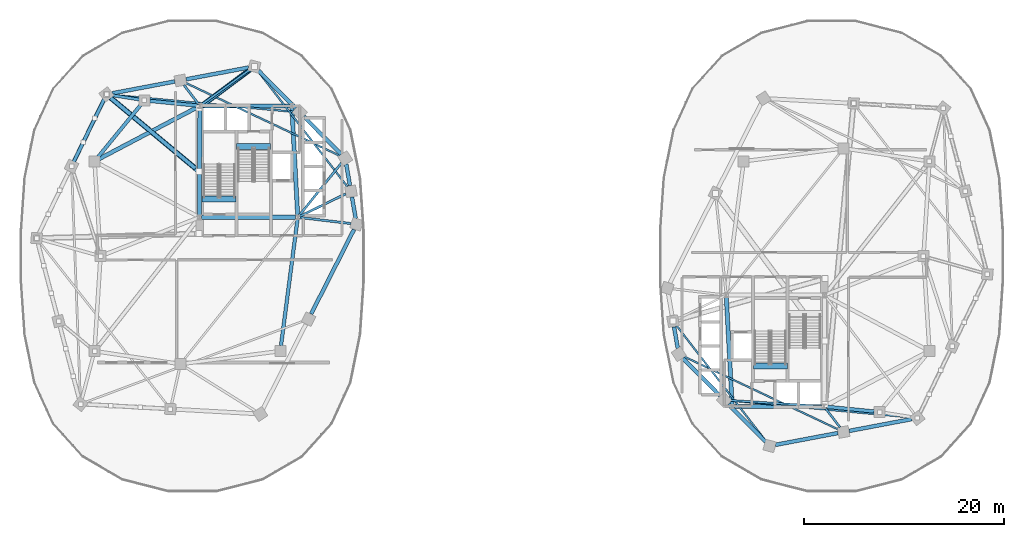
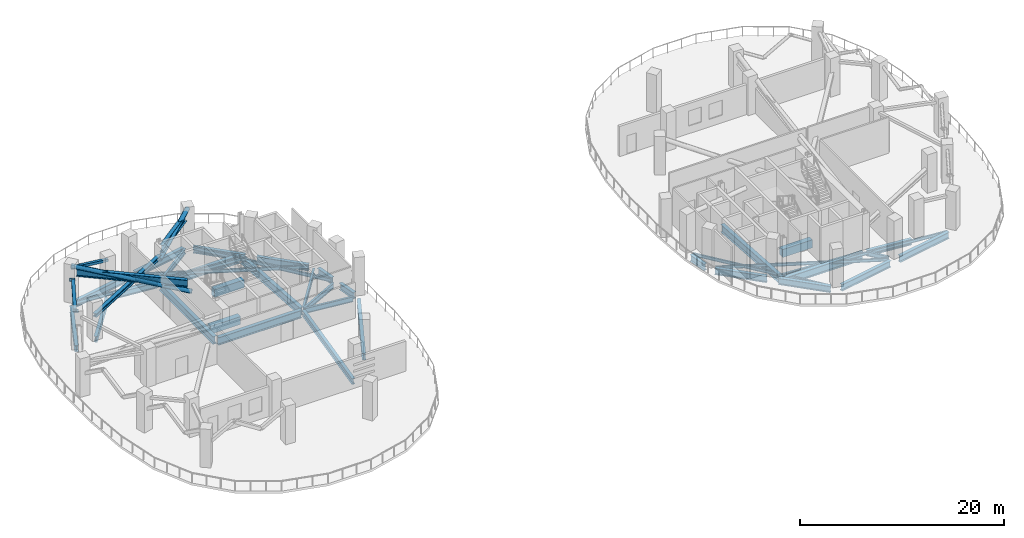
# One storey, part 2 of 13: 41 beams, 7 members.
"""IFC4 building model written with IfcOpenShell, lengths in metres."""

from ifc_helpers import new_model, si_unit, direction, frame, origin, origin_2d, place, context, subcontext, project, spatial, rectangle, hollow_rectangle, hollow_circle, i_section, extrude, material, material_profile, profile_set, type_object, element, save


model = new_model("IFC4")

# Units and contexts
model_context = context("Model", 3, precision=1e-05, world=origin(), true_north=direction((0.0, 1.0)))
body_context = subcontext(model_context, "Body", "Model", "MODEL_VIEW")
ifc_project = project(units=[si_unit("LENGTHUNIT", "METRE"), si_unit("AREAUNIT", "SQUARE_METRE"), si_unit("VOLUMEUNIT", "CUBIC_METRE"), si_unit("PLANEANGLEUNIT", "RADIAN"), si_unit("MASSUNIT", "GRAM", prefix="KILO"), si_unit("THERMODYNAMICTEMPERATUREUNIT", "KELVIN"), si_unit("POWERUNIT", "WATT")], contexts=[model_context])

# Site, building, storey
site_placement = place(None, origin())
site = spatial("IfcSite", under=ifc_project, at=site_placement, CompositionType="ELEMENT")
building_placement = place(site_placement, origin())
building = spatial("IfcBuilding", under=site, at=building_placement, Name="Cundina Bronze Exchange", CompositionType="ELEMENT")
storey_placement = place(building_placement, frame((0.0, 0.0, 77.199951171875)))
storey = spatial("IfcBuildingStorey", under=building, at=storey_placement, Name="L19", CompositionType="ELEMENT", Elevation=77.199951171875)

# Beams
ifc_material_1 = material(Name="Concrete C60/75", Category="concrete")
ifc_material_profile_1 = material_profile(ifc_material_1, rectangle(XDim=0.60009765625, YDim=0.949951171875, at=origin_2d()), Name="RC600X950", Category="concrete")
ifc_profile_set_1 = profile_set([ifc_material_profile_1], Name="Concrete C60/75")
beam_type_1 = type_object("IfcBeamType", Name="BM-COUP-RC950", PredefinedType="LINTEL", material=ifc_profile_set_1)
beam_1_placement = place(storey_placement, frame((-31.02001953125, 5.719970703125, -0.474853515625), z_axis=(1.0, 0.0, 0.0), x_axis=(0.0, 1.0, 0.0)))
element("IfcBeam", 1, at=beam_1_placement, inside=storey, type_object=beam_type_1, Name="L19 Stair W1 Landing Header Beam", PredefinedType="LINTEL", context=body_context, shape_type="SweptSolid", body=[
    extrude(rectangle(XDim=0.60009765625, YDim=0.949951171875, at=origin_2d()), origin(), (0.0, 0.0, 1.0), 3.39990234375),
])
for number, where, z_axis, x_axis, name in (
    (2, (-27.56005859375, 10.97998046875, -0.474853515625), (1.0, 0.0, 0.0), (0.0, 1.0, 0.0), "L19 Stair W2 Landing Header Beam"),
    (3, (24.159912109375, -10.97998046875, -0.474853515625), (1.0, 0.0, 0.0), (0.0, 1.0, 0.0), "L19 Stair E2 Landing Header Beam"),
):
    element("IfcBeam", number, at=place(storey_placement, frame(where, z_axis=z_axis, x_axis=x_axis)), inside=storey, type_object=beam_type_1, Name=name, PredefinedType="LINTEL", context=body_context, shape_type="SweptSolid", body=[
        extrude(rectangle(XDim=0.60009765625, YDim=0.949951171875, at=origin_2d()), origin(), (0.0, 0.0, 1.0), 3.400146484375),
    ])
ifc_material_2 = material(Name="Steel ASTM A992 Grade 50", Category="steel")
ifc_material_profile_2 = material_profile(ifc_material_2, i_section(OverallWidth=0.2099609375, OverallDepth=0.532958984375, WebThickness=0.01025390625, FlangeThickness=0.015625, FilletRadius=0.013916015625, at=origin_2d()), Name="W21X62", Category="steel")
ifc_profile_set_2 = profile_set([ifc_material_profile_2], Name="Steel ASTM A992 Grade 50")
beam_type_2 = type_object("IfcBeamType", Name="BM-FLR-W21B", PredefinedType="BEAM", material=ifc_profile_set_2)
beam_2_placement = place(storey_placement, frame((31.04638671875, -15.036865234375, -0.54638671875), z_axis=(-0.99789233798, 0.064891307594, 0.0), x_axis=(-0.064891307594, -0.99789233798, 0.0)))
element("IfcBeam", 4, at=beam_2_placement, inside=storey, type_object=beam_type_2, Name="L19 Leg E Chordal Floor Beam 03", PredefinedType="BEAM", context=body_context, shape_type="SweptSolid", body=[
    extrude(i_section(OverallWidth=0.2099609375, OverallDepth=0.532958984375, WebThickness=0.01025390625, FlangeThickness=0.015625, FilletRadius=0.013916015625, at=origin_2d()), origin(), (0.0, 0.0, 1.0), 9.22900390625),
])
beam_3_placement = place(storey_placement, frame((31.373779296875, -15.2119140625, -0.54638671875), z_axis=(0.607468844289, -0.794343504548, 0.0), x_axis=(0.794343504548, 0.607468844289, 0.0)))
element("IfcBeam", 5, at=beam_3_placement, inside=storey, type_object=beam_type_2, Name="L19 Leg E Chordal Floor Beam 05", PredefinedType="BEAM", context=body_context, shape_type="SweptSolid", body=[
    extrude(i_section(OverallWidth=0.2099609375, OverallDepth=0.532958984375, WebThickness=0.01025390625, FlangeThickness=0.015625, FilletRadius=0.013916015625, at=origin_2d()), origin(), (0.0, 0.0, 1.0), 2.418212890625),
])
ifc_material_profile_3 = material_profile(ifc_material_2, i_section(OverallWidth=0.22998046875, OverallDepth=0.616943359375, WebThickness=0.01318359375, FlangeThickness=0.022216796875, FilletRadius=0.013916015625, at=origin_2d()), Name="W24X94", Category="steel")
ifc_profile_set_3 = profile_set([ifc_material_profile_3], Name="Steel ASTM A992 Grade 50")
beam_type_3 = type_object("IfcBeamType", Name="BM-FLR-W24B", PredefinedType="BEAM", material=ifc_profile_set_3)
beam_4_placement = place(storey_placement, frame((-21.247314453125, 3.8759765625, -0.58837890625), z_axis=(0.993035236117, -0.117817739878, 0.0), x_axis=(0.117817739878, 0.993035236117, 0.0)))
element("IfcBeam", 6, at=beam_4_placement, inside=storey, type_object=beam_type_3, Name="L19 Leg W Radial Floor Beam 00", PredefinedType="BEAM", context=body_context, shape_type="SweptSolid", body=[
    extrude(i_section(OverallWidth=0.22998046875, OverallDepth=0.616943359375, WebThickness=0.01318359375, FlangeThickness=0.022216796875, FilletRadius=0.013916015625, at=origin_2d()), origin(), (0.0, 0.0, 1.0), 5.1494140625),
])
beam_5_placement = place(storey_placement, frame((-21.2666015625, 3.989501953125, -0.58837890625), z_axis=(0.898610249448, 0.438747785849, 0.0), x_axis=(-0.438747785849, 0.898610249448, 0.0)))
element("IfcBeam", 7, at=beam_5_placement, inside=storey, type_object=beam_type_3, Name="L19 Leg W Radial Floor Beam 01", PredefinedType="BEAM", context=body_context, shape_type="SweptSolid", body=[
    extrude(i_section(OverallWidth=0.22998046875, OverallDepth=0.616943359375, WebThickness=0.01318359375, FlangeThickness=0.022216796875, FilletRadius=0.013916015625, at=origin_2d()), origin(), (0.0, 0.0, 1.0), 5.1337890625),
])
beam_6_placement = place(storey_placement, frame((-21.322021484375, 4.058837890625, -0.58837890625), z_axis=(0.627106366175, 0.778933633568, 0.0), x_axis=(-0.778933633568, 0.627106366175, 0.0)))
element("IfcBeam", 8, at=beam_6_placement, inside=storey, type_object=beam_type_3, Name="L19 Leg W Radial Floor Beam 02", PredefinedType="BEAM", context=body_context, shape_type="SweptSolid", body=[
    extrude(i_section(OverallWidth=0.22998046875, OverallDepth=0.616943359375, WebThickness=0.01318359375, FlangeThickness=0.022216796875, FilletRadius=0.013916015625, at=origin_2d()), origin(), (0.0, 0.0, 1.0), 6.78271484375),
])
beam_7_placement = place(storey_placement, frame((-31.084716796875, 15.169677734375, -0.58837890625), z_axis=(0.809700299677, 0.586843611794, 0.0), x_axis=(-0.586843611794, 0.809700299677, 0.0)))
element("IfcBeam", 9, at=beam_7_placement, inside=storey, type_object=beam_type_3, Name="L19 Leg W Radial Floor Beam 04", PredefinedType="BEAM", context=body_context, shape_type="SweptSolid", body=[
    extrude(i_section(OverallWidth=0.22998046875, OverallDepth=0.616943359375, WebThickness=0.01318359375, FlangeThickness=0.022216796875, FilletRadius=0.013916015625, at=origin_2d()), origin(), (0.0, 0.0, 1.0), 5.938720703125),
])
beam_8_placement = place(storey_placement, frame((-31.373779296875, 15.2119140625, -0.58837890625), z_axis=(-0.607468844289, 0.794343504548, 0.0), x_axis=(-0.794343504548, -0.607468844289, 0.0)))
element("IfcBeam", 10, at=beam_8_placement, inside=storey, type_object=beam_type_3, Name="L19 Leg W Radial Floor Beam 05", PredefinedType="BEAM", context=body_context, shape_type="SweptSolid", body=[
    extrude(i_section(OverallWidth=0.22998046875, OverallDepth=0.616943359375, WebThickness=0.01318359375, FlangeThickness=0.022216796875, FilletRadius=0.013916015625, at=origin_2d()), origin(), (0.0, 0.0, 1.0), 2.418212890625),
])
ifc_material_profile_4 = material_profile(ifc_material_2, i_section(OverallWidth=0.172119140625, OverallDepth=0.35791015625, WebThickness=0.0078125, FlangeThickness=0.01318359375, FilletRadius=0.010009765625, at=origin_2d()), Name="W14X38", Category="steel")
ifc_profile_set_4 = profile_set([ifc_material_profile_4], Name="Steel ASTM A992 Grade 50")
beam_type_4 = type_object("IfcBeamType", Name="BM-JST-W14", PredefinedType="JOIST", material=ifc_profile_set_4)
beam_9_placement = place(storey_placement, frame((16.48486328125, -6.965087890625, -0.458984375), z_axis=(0.612089386305, -0.790788583108, 0.0), x_axis=(0.790788583108, 0.612089386305, 0.0)))
element("IfcBeam", 11, at=beam_9_placement, inside=storey, type_object=beam_type_4, Name="L19 Leg E Lobe Floor Joist 01-04", PredefinedType="JOIST", context=body_context, shape_type="SweptSolid", body=[
    extrude(i_section(OverallWidth=0.172119140625, OverallDepth=0.35791015625, WebThickness=0.0078125, FlangeThickness=0.01318359375, FilletRadius=0.010009765625, at=origin_2d()), origin(), (0.0, 0.0, 1.0), 14.630859375),
])
beam_10_placement = place(storey_placement, frame((17.231689453125, -10.05126953125, -0.458984375), z_axis=(0.904072668297, -0.427378766949, 0.0), x_axis=(0.427378766949, 0.904072668297, 0.0)))
element("IfcBeam", 12, at=beam_10_placement, inside=storey, type_object=beam_type_4, Name="L19 Leg E Lobe Floor Joist 02-05", PredefinedType="JOIST", context=body_context, shape_type="SweptSolid", body=[
    extrude(i_section(OverallWidth=0.172119140625, OverallDepth=0.35791015625, WebThickness=0.0078125, FlangeThickness=0.01318359375, FilletRadius=0.010009765625, at=origin_2d()), origin(), (0.0, 0.0, 1.0), 17.07470703125),
])
beam_11_placement = place(storey_placement, frame((21.83544921875, -14.45458984375, -0.458984375), z_axis=(0.995701961644, -0.09261535282, 0.0), x_axis=(0.09261535282, 0.995701961644, 0.0)))
element("IfcBeam", 13, at=beam_11_placement, inside=storey, type_object=beam_type_4, Name="L19 Leg E Lobe Floor Joist 03-06", PredefinedType="JOIST", context=body_context, shape_type="SweptSolid", body=[
    extrude(i_section(OverallWidth=0.172119140625, OverallDepth=0.35791015625, WebThickness=0.0078125, FlangeThickness=0.01318359375, FilletRadius=0.010009765625, at=origin_2d()), origin(), (0.0, 0.0, 1.0), 18.25732421875),
])
ifc_material_profile_5 = material_profile(ifc_material_2, i_section(OverallWidth=0.178955078125, OverallDepth=0.409912109375, WebThickness=0.0087890625, FlangeThickness=0.014404296875, FilletRadius=0.010986328125, at=origin_2d()), Name="W16X45", Category="steel")
ifc_profile_set_5 = profile_set([ifc_material_profile_5], Name="Steel ASTM A992 Grade 50")
beam_type_5 = type_object("IfcBeamType", Name="BM-JST-W16", PredefinedType="JOIST", material=ifc_profile_set_5)
beam_12_placement = place(storey_placement, frame((-16.48486328125, 6.965087890625, -0.48486328125), z_axis=(-0.612089386305, 0.790788583108, 0.0), x_axis=(-0.790788583108, -0.612089386305, 0.0)))
element("IfcBeam", 14, at=beam_12_placement, inside=storey, type_object=beam_type_5, Name="L19 Leg W Lobe Floor Joist 01-04", PredefinedType="JOIST", context=body_context, shape_type="SweptSolid", body=[
    extrude(i_section(OverallWidth=0.178955078125, OverallDepth=0.409912109375, WebThickness=0.0087890625, FlangeThickness=0.014404296875, FilletRadius=0.010986328125, at=origin_2d()), origin(), (0.0, 0.0, 1.0), 14.630859375),
])
beam_13_placement = place(storey_placement, frame((-17.231689453125, 10.05126953125, -0.48486328125), z_axis=(-0.904072668297, 0.427378766949, 0.0), x_axis=(-0.427378766949, -0.904072668297, 0.0)))
element("IfcBeam", 15, at=beam_13_placement, inside=storey, type_object=beam_type_5, Name="L19 Leg W Lobe Floor Joist 02-05", PredefinedType="JOIST", context=body_context, shape_type="SweptSolid", body=[
    extrude(i_section(OverallWidth=0.178955078125, OverallDepth=0.409912109375, WebThickness=0.0087890625, FlangeThickness=0.014404296875, FilletRadius=0.010986328125, at=origin_2d()), origin(), (0.0, 0.0, 1.0), 17.07470703125),
])
beam_14_placement = place(storey_placement, frame((-21.83544921875, 14.45458984375, -0.48486328125), z_axis=(-0.995701961644, 0.09261535282, 0.0), x_axis=(-0.09261535282, -0.995701961644, 0.0)))
element("IfcBeam", 16, at=beam_14_placement, inside=storey, type_object=beam_type_5, Name="L19 Leg W Lobe Floor Joist 03-06", PredefinedType="JOIST", context=body_context, shape_type="SweptSolid", body=[
    extrude(i_section(OverallWidth=0.178955078125, OverallDepth=0.409912109375, WebThickness=0.0087890625, FlangeThickness=0.014404296875, FilletRadius=0.010986328125, at=origin_2d()), origin(), (0.0, 0.0, 1.0), 18.25732421875),
])
ifc_material_profile_6 = material_profile(ifc_material_2, i_section(OverallWidth=0.39990234375, OverallDepth=0.85498046875, WebThickness=0.018310546875, FlangeThickness=0.029296875, FilletRadius=0.02001953125, at=origin_2d()), Name="W33X201", Category="steel")
ifc_profile_set_6 = profile_set([ifc_material_profile_6], Name="Steel ASTM A992 Grade 50")
beam_type_6 = type_object("IfcBeamType", Name="BM-OUT-W33", PredefinedType="USERDEFINED", material=ifc_profile_set_6)
beam_15_placement = place(storey_placement, frame((-30.989501953125, 15.119384765625, 3.422607421875), z_axis=(0.800852184804, 0.598862069341, 0.0), x_axis=(-0.598862069341, 0.800852184804, 0.0)))
element("IfcBeam", 17, at=beam_15_placement, inside=storey, type_object=beam_type_6, Name="L19 W Outrigger Upper Tie Chord 1", ObjectType="GIRDER", PredefinedType="USERDEFINED", context=body_context, shape_type="SweptSolid", body=[
    extrude(i_section(OverallWidth=0.39990234375, OverallDepth=0.85498046875, WebThickness=0.018310546875, FlangeThickness=0.029296875, FilletRadius=0.02001953125, at=origin_2d()), origin(), (0.0, 0.0, 1.0), 5.94189453125),
])
beam_16_placement = place(storey_placement, frame((-31.69580078125, 8.787841796875, 3.422607421875), z_axis=(-0.768565336163, 0.639771306053, 0.0), x_axis=(-0.639771306053, -0.768565336163, 0.0)))
element("IfcBeam", 18, at=beam_16_placement, inside=storey, type_object=beam_type_6, Name="L19 W Outrigger Upper Tie Chord 2", ObjectType="GIRDER", PredefinedType="USERDEFINED", context=body_context, shape_type="SweptSolid", body=[
    extrude(i_section(OverallWidth=0.39990234375, OverallDepth=0.85498046875, WebThickness=0.018310546875, FlangeThickness=0.029296875, FilletRadius=0.02001953125, at=origin_2d()), origin(), (0.0, 0.0, 1.0), 11.047607421875),
])
ifc_material_profile_7 = material_profile(ifc_material_2, i_section(OverallWidth=0.35498046875, OverallDepth=0.695068359375, WebThickness=0.015380859375, FlangeThickness=0.02490234375, FilletRadius=0.01806640625, at=origin_2d()), Name="W27X146", Category="steel")
ifc_profile_set_7 = profile_set([ifc_material_profile_7], Name="Steel ASTM A992 Grade 50")
beam_type_7 = type_object("IfcBeamType", Name="BM-RING-W27", PredefinedType="USERDEFINED", material=ifc_profile_set_7)
beam_17_placement = place(storey_placement, frame((-31.452880859375, 15.070068359375, -0.62744140625), z_axis=(-0.995126271817, 0.098608839051, 0.0), x_axis=(-0.098608839051, -0.995126271817, 0.0)))
element("IfcBeam", 19, at=beam_17_placement, inside=storey, type_object=beam_type_7, Name="L19 W Inner Structural Ring Girder 01", ObjectType="GIRDER", PredefinedType="USERDEFINED", context=body_context, shape_type="SweptSolid", body=[
    extrude(i_section(OverallWidth=0.35498046875, OverallDepth=0.695068359375, WebThickness=0.015380859375, FlangeThickness=0.02490234375, FilletRadius=0.01806640625, at=origin_2d()), origin(), (0.0, 0.0, 1.0), 4.83544921875),
])
beam_18_placement = place(storey_placement, frame((-37.14111328125, 15.183837890625, -0.62744140625), z_axis=(-0.633926549035, -0.773393257295, 0.0), x_axis=(0.773393257295, -0.633926549035, 0.0)))
element("IfcBeam", 20, at=beam_18_placement, inside=storey, type_object=beam_type_7, Name="L19 W Inner Structural Ring Girder 02", ObjectType="GIRDER", PredefinedType="USERDEFINED", context=body_context, shape_type="SweptSolid", body=[
    extrude(i_section(OverallWidth=0.35498046875, OverallDepth=0.695068359375, WebThickness=0.015380859375, FlangeThickness=0.02490234375, FilletRadius=0.01806640625, at=origin_2d()), origin(), (0.0, 0.0, 1.0), 6.811279296875),
])
beam_19_placement = place(storey_placement, frame((-23.13037109375, -8.966552734375, -0.62744140625), z_axis=(0.129507526533, 0.99157843894, 0.0), x_axis=(-0.99157843894, 0.129507526533, 0.0)))
element("IfcBeam", 21, at=beam_19_placement, inside=storey, type_object=beam_type_7, Name="L19 W Inner Structural Ring Girder 07", ObjectType="GIRDER", PredefinedType="USERDEFINED", context=body_context, shape_type="SweptSolid", body=[
    extrude(i_section(OverallWidth=0.35498046875, OverallDepth=0.695068359375, WebThickness=0.015380859375, FlangeThickness=0.02490234375, FilletRadius=0.01806640625, at=origin_2d()), origin(), (0.0, 0.0, 1.0), 12.77197265625),
])
beam_20_placement = place(storey_placement, frame((31.452880859375, -15.070068359375, -0.62744140625), z_axis=(0.995126271817, -0.098608839051, 0.0), x_axis=(0.098608839051, 0.995126271817, 0.0)))
element("IfcBeam", 22, at=beam_20_placement, inside=storey, type_object=beam_type_7, Name="L19 E Inner Structural Ring Girder 01", ObjectType="GIRDER", PredefinedType="USERDEFINED", context=body_context, shape_type="SweptSolid", body=[
    extrude(i_section(OverallWidth=0.35498046875, OverallDepth=0.695068359375, WebThickness=0.015380859375, FlangeThickness=0.02490234375, FilletRadius=0.01806640625, at=origin_2d()), origin(), (0.0, 0.0, 1.0), 4.83544921875),
])
ifc_material_profile_8 = material_profile(ifc_material_2, i_section(OverallWidth=0.381103515625, OverallDepth=0.77294921875, WebThickness=0.0166015625, FlangeThickness=0.027099609375, FilletRadius=0.01904296875, at=origin_2d()), Name="W30X173", Category="steel")
ifc_profile_set_8 = profile_set([ifc_material_profile_8], Name="Steel ASTM A992 Grade 50")
beam_type_8 = type_object("IfcBeamType", Name="BM-RING-W30", PredefinedType="USERDEFINED", material=ifc_profile_set_8)
for number, where, z_axis, x_axis, name in (
    (23, (-15.65087890625, 3.779296875, -0.66650390625), (-0.171734584051, 0.985143254883, 0.0), (-0.985143254883, -0.171734584051, 0.0), "L19 W Perimeter Ring Girder 00"),
    (24, (-16.225830078125, 7.079345703125, -0.66650390625), (-0.171734584051, 0.985143254883, 0.0), (-0.985143254883, -0.171734584051, 0.0), "L19 W Perimeter Ring Girder 01"),
):
    element("IfcBeam", number, at=place(storey_placement, frame(where, z_axis=z_axis, x_axis=x_axis)), inside=storey, type_object=beam_type_8, Name=name, ObjectType="GIRDER", PredefinedType="USERDEFINED", context=body_context, shape_type="SweptSolid", body=[
        extrude(i_section(OverallWidth=0.381103515625, OverallDepth=0.77294921875, WebThickness=0.0166015625, FlangeThickness=0.027099609375, FilletRadius=0.01904296875, at=origin_2d()), origin(), (0.0, 0.0, 1.0), 2.173583984375),
    ])
for number, where, z_axis, x_axis, name in (
    (25, (-17.113525390625, 10.218017578125, -0.66650390625), (-0.703222428859, 0.710969911845, 0.0), (-0.710969911845, -0.703222428859, 0.0), "L19 W Perimeter Ring Girder 02"),
    (26, (-21.66357421875, 14.818115234375, -0.66650390625), (-0.703222428859, 0.710969911845, 0.0), (-0.710969911845, -0.703222428859, 0.0), "L19 W Perimeter Ring Girder 03"),
):
    element("IfcBeam", number, at=place(storey_placement, frame(where, z_axis=z_axis, x_axis=x_axis)), inside=storey, type_object=beam_type_8, Name=name, ObjectType="GIRDER", PredefinedType="USERDEFINED", context=body_context, shape_type="SweptSolid", body=[
        extrude(i_section(OverallWidth=0.381103515625, OverallDepth=0.77294921875, WebThickness=0.0166015625, FlangeThickness=0.027099609375, FilletRadius=0.01904296875, at=origin_2d()), origin(), (0.0, 0.0, 1.0), 5.2939453125),
    ])
beam_21_placement = place(storey_placement, frame((-26.377685546875, 18.890625, -0.66650390625), z_axis=(-0.982570814598, -0.185888661031, 0.0), x_axis=(0.185888661031, -0.982570814598, 0.0)))
element("IfcBeam", 27, at=beam_21_placement, inside=storey, type_object=beam_type_8, Name="L19 W Perimeter Ring Girder 04", ObjectType="GIRDER", PredefinedType="USERDEFINED", context=body_context, shape_type="SweptSolid", body=[
    extrude(i_section(OverallWidth=0.381103515625, OverallDepth=0.77294921875, WebThickness=0.0166015625, FlangeThickness=0.027099609375, FilletRadius=0.01904296875, at=origin_2d()), origin(), (0.0, 0.0, 1.0), 6.35546875),
])
beam_22_placement = place(storey_placement, frame((-33.77783203125, 17.49072265625, -0.66650390625), z_axis=(-0.982569487119, -0.185895677686, 0.0), x_axis=(0.185895677686, -0.982569487119, 0.0)))
element("IfcBeam", 28, at=beam_22_placement, inside=storey, type_object=beam_type_8, Name="L19 W Perimeter Ring Girder 05", ObjectType="GIRDER", PredefinedType="USERDEFINED", context=body_context, shape_type="SweptSolid", body=[
    extrude(i_section(OverallWidth=0.381103515625, OverallDepth=0.77294921875, WebThickness=0.0166015625, FlangeThickness=0.027099609375, FilletRadius=0.01904296875, at=origin_2d()), origin(), (0.0, 0.0, 1.0), 6.355224609375),
])
beam_23_placement = place(storey_placement, frame((-40.857177734375, 15.671142578125, -0.66650390625), z_axis=(-0.437190698904, -0.899368830231, 0.0), x_axis=(0.899368830231, -0.437190698904, 0.0)))
element("IfcBeam", 29, at=beam_23_placement, inside=storey, type_object=beam_type_8, Name="L19 W Perimeter Ring Girder 06", ObjectType="GIRDER", PredefinedType="USERDEFINED", context=body_context, shape_type="SweptSolid", body=[
    extrude(i_section(OverallWidth=0.381103515625, OverallDepth=0.77294921875, WebThickness=0.0166015625, FlangeThickness=0.027099609375, FilletRadius=0.01904296875, at=origin_2d()), origin(), (0.0, 0.0, 1.0), 6.82958984375),
])
beam_24_placement = place(storey_placement, frame((-20.108642578125, -5.775634765625, -0.66650390625), z_axis=(0.452819633606, 0.891602141889, 0.0), x_axis=(-0.891602141889, 0.452819633606, 0.0)))
element("IfcBeam", 30, at=beam_24_placement, inside=storey, type_object=beam_type_8, Name="L19 W Perimeter Ring Girder 13", ObjectType="GIRDER", PredefinedType="USERDEFINED", context=body_context, shape_type="SweptSolid", body=[
    extrude(i_section(OverallWidth=0.381103515625, OverallDepth=0.77294921875, WebThickness=0.0166015625, FlangeThickness=0.027099609375, FilletRadius=0.01904296875, at=origin_2d()), origin(), (0.0, 0.0, 1.0), 9.47900390625),
])
beam_25_placement = place(storey_placement, frame((16.225830078125, -7.079345703125, -0.66650390625), z_axis=(0.171734584051, -0.985143254883, 0.0), x_axis=(0.985143254883, 0.171734584051, 0.0)))
element("IfcBeam", 31, at=beam_25_placement, inside=storey, type_object=beam_type_8, Name="L19 E Perimeter Ring Girder 01", ObjectType="GIRDER", PredefinedType="USERDEFINED", context=body_context, shape_type="SweptSolid", body=[
    extrude(i_section(OverallWidth=0.381103515625, OverallDepth=0.77294921875, WebThickness=0.0166015625, FlangeThickness=0.027099609375, FilletRadius=0.01904296875, at=origin_2d()), origin(), (0.0, 0.0, 1.0), 2.173583984375),
])
for number, where, z_axis, x_axis, name in (
    (32, (17.113525390625, -10.218017578125, -0.66650390625), (0.703222428859, -0.710969911845, 0.0), (0.710969911845, 0.703222428859, 0.0), "L19 E Perimeter Ring Girder 02"),
    (33, (21.66357421875, -14.818115234375, -0.66650390625), (0.703222428859, -0.710969911845, 0.0), (0.710969911845, 0.703222428859, 0.0), "L19 E Perimeter Ring Girder 03"),
):
    element("IfcBeam", number, at=place(storey_placement, frame(where, z_axis=z_axis, x_axis=x_axis)), inside=storey, type_object=beam_type_8, Name=name, ObjectType="GIRDER", PredefinedType="USERDEFINED", context=body_context, shape_type="SweptSolid", body=[
        extrude(i_section(OverallWidth=0.381103515625, OverallDepth=0.77294921875, WebThickness=0.0166015625, FlangeThickness=0.027099609375, FilletRadius=0.01904296875, at=origin_2d()), origin(), (0.0, 0.0, 1.0), 5.2939453125),
    ])
beam_26_placement = place(storey_placement, frame((26.377685546875, -18.890625, -0.66650390625), z_axis=(0.982570814598, 0.185888661031, 0.0), x_axis=(-0.185888661031, 0.982570814598, 0.0)))
element("IfcBeam", 34, at=beam_26_placement, inside=storey, type_object=beam_type_8, Name="L19 E Perimeter Ring Girder 04", ObjectType="GIRDER", PredefinedType="USERDEFINED", context=body_context, shape_type="SweptSolid", body=[
    extrude(i_section(OverallWidth=0.381103515625, OverallDepth=0.77294921875, WebThickness=0.0166015625, FlangeThickness=0.027099609375, FilletRadius=0.01904296875, at=origin_2d()), origin(), (0.0, 0.0, 1.0), 6.35546875),
])
beam_27_placement = place(storey_placement, frame((33.77783203125, -17.49072265625, -0.66650390625), z_axis=(0.982569487119, 0.185895677686, 0.0), x_axis=(-0.185895677686, 0.982569487119, 0.0)))
element("IfcBeam", 35, at=beam_27_placement, inside=storey, type_object=beam_type_8, Name="L19 E Perimeter Ring Girder 05", ObjectType="GIRDER", PredefinedType="USERDEFINED", context=body_context, shape_type="SweptSolid", body=[
    extrude(i_section(OverallWidth=0.381103515625, OverallDepth=0.77294921875, WebThickness=0.0166015625, FlangeThickness=0.027099609375, FilletRadius=0.01904296875, at=origin_2d()), origin(), (0.0, 0.0, 1.0), 6.355224609375),
])
ifc_material_profile_9 = material_profile(ifc_material_2, i_section(OverallWidth=0.41796875, OverallDepth=0.927001953125, WebThickness=0.019287109375, FlangeThickness=0.031982421875, FilletRadius=0.02392578125, at=origin_2d()), Name="W36X231", Category="steel")
ifc_profile_set_9 = profile_set([ifc_material_profile_9], Name="Steel ASTM A992 Grade 50")
beam_type_9 = type_object("IfcBeamType", Name="BM-WRN-W36B", PredefinedType="USERDEFINED", material=ifc_profile_set_9)
beam_28_placement = place(storey_placement, frame((-31.095947265625, 3.89990234375, -0.743408203125), z_axis=(1.0, 0.0, 0.0), x_axis=(0.0, 1.0, 0.0)))
element("IfcBeam", 36, at=beam_28_placement, inside=storey, type_object=beam_type_9, Name="L19 W Core Perimeter Tie Girder 1", ObjectType="GIRDER", PredefinedType="USERDEFINED", context=body_context, shape_type="SweptSolid", body=[
    extrude(i_section(OverallWidth=0.41796875, OverallDepth=0.927001953125, WebThickness=0.019287109375, FlangeThickness=0.031982421875, FilletRadius=0.02392578125, at=origin_2d()), origin(), (0.0, 0.0, 1.0), 9.44189453125),
])
beam_29_placement = place(storey_placement, frame((-21.4609375, 4.103759765625, -0.743408203125), z_axis=(-0.053739193498, 0.998555005537, 0.0), x_axis=(-0.998555005537, -0.053739193498, 0.0)))
element("IfcBeam", 37, at=beam_29_placement, inside=storey, type_object=beam_type_9, Name="L19 W Core Perimeter Tie Girder 2", ObjectType="GIRDER", PredefinedType="USERDEFINED", context=body_context, shape_type="SweptSolid", body=[
    extrude(i_section(OverallWidth=0.41796875, OverallDepth=0.927001953125, WebThickness=0.019287109375, FlangeThickness=0.031982421875, FilletRadius=0.02392578125, at=origin_2d()), origin(), (0.0, 0.0, 1.0), 10.758056640625),
])
beam_30_placement = place(storey_placement, frame((-22.25390625, 15.050048828125, -0.743408203125), z_axis=(-1.0, 0.0, 0.0), x_axis=(0.0, -1.0, 0.0)))
element("IfcBeam", 38, at=beam_30_placement, inside=storey, type_object=beam_type_9, Name="L19 W Core Perimeter Tie Girder 3", ObjectType="GIRDER", PredefinedType="USERDEFINED", context=body_context, shape_type="SweptSolid", body=[
    extrude(i_section(OverallWidth=0.41796875, OverallDepth=0.927001953125, WebThickness=0.019287109375, FlangeThickness=0.031982421875, FilletRadius=0.02392578125, at=origin_2d()), origin(), (0.0, 0.0, 1.0), 8.7919921875),
])
beam_31_placement = place(storey_placement, frame((-31.2509765625, 14.845947265625, -0.743408203125), z_axis=(-0.004477329608, -0.99998997671, 0.0), x_axis=(0.99998997671, -0.004477329608, 0.0)))
element("IfcBeam", 39, at=beam_31_placement, inside=storey, type_object=beam_type_9, Name="L19 W Core Perimeter Tie Girder 4", ObjectType="GIRDER", PredefinedType="USERDEFINED", context=body_context, shape_type="SweptSolid", body=[
    extrude(i_section(OverallWidth=0.41796875, OverallDepth=0.927001953125, WebThickness=0.019287109375, FlangeThickness=0.031982421875, FilletRadius=0.02392578125, at=origin_2d()), origin(), (0.0, 0.0, 1.0), 10.741943359375),
])
beam_32_placement = place(storey_placement, frame((21.4609375, -4.103759765625, -0.743408203125), z_axis=(0.053739193498, -0.998555005537, 0.0), x_axis=(0.998555005537, 0.053739193498, 0.0)))
element("IfcBeam", 40, at=beam_32_placement, inside=storey, type_object=beam_type_9, Name="L19 E Core Perimeter Tie Girder 2", ObjectType="GIRDER", PredefinedType="USERDEFINED", context=body_context, shape_type="SweptSolid", body=[
    extrude(i_section(OverallWidth=0.41796875, OverallDepth=0.927001953125, WebThickness=0.019287109375, FlangeThickness=0.031982421875, FilletRadius=0.02392578125, at=origin_2d()), origin(), (0.0, 0.0, 1.0), 10.758056640625),
])
beam_33_placement = place(storey_placement, frame((22.25390625, -15.050048828125, -0.743408203125), z_axis=(1.0, 0.0, 0.0), x_axis=(0.0, 1.0, 0.0)))
element("IfcBeam", 41, at=beam_33_placement, inside=storey, type_object=beam_type_9, Name="L19 E Core Perimeter Tie Girder 3", ObjectType="GIRDER", PredefinedType="USERDEFINED", context=body_context, shape_type="SweptSolid", body=[
    extrude(i_section(OverallWidth=0.41796875, OverallDepth=0.927001953125, WebThickness=0.019287109375, FlangeThickness=0.031982421875, FilletRadius=0.02392578125, at=origin_2d()), origin(), (0.0, 0.0, 1.0), 8.7919921875),
])

# Members
ifc_material_3 = material(Name="Steel ASTM A500 Grade C", Category="steel")
ifc_material_profile_10 = material_profile(ifc_material_3, hollow_rectangle(XDim=0.300048828125, YDim=0.300048828125, WallThickness=0.01611328125, at=origin_2d()), Name="HSS300X300X16", Category="steel")
ifc_profile_set_10 = profile_set([ifc_material_profile_10], Name="Steel ASTM A500 Grade C")
member_type_1 = type_object("IfcMemberType", Name="MBR-BLT-HSS300", PredefinedType="STRUT", material=ifc_profile_set_10)
member_1_placement = place(storey_placement, frame((-36.800048828125, 15.60009765625, 3.85009765625), z_axis=(-0.98776913913, 0.155923467706, 0.0), x_axis=(-0.155923467706, -0.98776913913, 0.0)))
element("IfcMember", 42, at=member_1_placement, inside=storey, type_object=member_type_1, Name="L19 W Outrigger Collector Strut 4", PredefinedType="STRUT", context=body_context, shape_type="SweptSolid", body=[
    extrude(hollow_rectangle(XDim=0.300048828125, YDim=0.300048828125, WallThickness=0.01611328125, at=origin_2d()), origin(), (0.0, 0.0, 1.0), 3.84716796875),
])
ifc_material_profile_11 = material_profile(ifc_material_3, hollow_rectangle(XDim=0.35009765625, YDim=0.35009765625, WallThickness=0.01904296875, at=origin_2d()), Name="HSS350X350X19", Category="steel")
ifc_profile_set_11 = profile_set([ifc_material_profile_11], Name="Steel ASTM A500 Grade C")
member_type_2 = type_object("IfcMemberType", Name="MBR-BLT-HSS350", PredefinedType="BRACE", material=ifc_profile_set_11)
member_2_placement = place(storey_placement, frame((-40.60009765625, 16.199951171875, 2.41015625), z_axis=(-0.359269332014, -0.739141384199, 0.569732885867), x_axis=(0.899384841713, -0.437157759278, 0.0)))
element("IfcMember", 43, at=member_2_placement, inside=storey, type_object=member_type_2, Name="L19 W Perimeter Belt M-Truss Diagonal 4A", PredefinedType="BRACE", context=body_context, shape_type="SweptSolid", body=[
    extrude(hollow_rectangle(XDim=0.35009765625, YDim=0.35009765625, WallThickness=0.01904296875, at=origin_2d()), origin(), (0.0, 0.0, 1.0), 3.246826171875),
])
for number, where, z_axis, x_axis, name in (
    (44, (-41.7666015625, 13.800048828125, 4.260009765625), (-0.359314847033, -0.739155526507, -0.569685833013), (0.899366355353, -0.437195790075, 0.0), "L19 W Perimeter Belt M-Truss Diagonal 4B"),
    (45, (-42.933349609375, 11.39990234375, 2.41015625), (-0.359334816351, -0.739121415512, 0.56971749393), (0.899348867178, -0.437231763606, 0.0), "L19 W Perimeter Belt M-Truss Diagonal 4C"),
):
    element("IfcMember", number, at=place(storey_placement, frame(where, z_axis=z_axis, x_axis=x_axis)), inside=storey, type_object=member_type_2, Name=name, PredefinedType="BRACE", context=body_context, shape_type="SweptSolid", body=[
        extrude(hollow_rectangle(XDim=0.35009765625, YDim=0.35009765625, WallThickness=0.01904296875, at=origin_2d()), origin(), (0.0, 0.0, 1.0), 3.2470703125),
    ])
ifc_material_profile_12 = material_profile(ifc_material_2, i_section(OverallWidth=0.406005859375, OverallDepth=0.416015625, WebThickness=0.02978515625, FlangeThickness=0.048095703125, FilletRadius=0.01806640625, at=origin_2d()), Name="W14X257", Category="steel")
ifc_profile_set_12 = profile_set([ifc_material_profile_12], Name="Steel ASTM A992 Grade 50")
member_type_3 = type_object("IfcMemberType", Name="MBR-CHORD-W14", PredefinedType="CHORD", material=ifc_profile_set_12)
member_3_placement = place(storey_placement, frame((-31.25, 15.050048828125, 2.650146484375), z_axis=(-0.8850083895, -0.465575075058, 0.0), x_axis=(0.465575075058, -0.8850083895, 0.0)))
element("IfcMember", 46, at=member_3_placement, inside=storey, type_object=member_type_3, Name="L19 West Outrigger Mid-Height Tie Chord 2", PredefinedType="CHORD", context=body_context, shape_type="SweptSolid", body=[
    extrude(i_section(OverallWidth=0.406005859375, OverallDepth=0.416015625, WebThickness=0.02978515625, FlangeThickness=0.048095703125, FilletRadius=0.01806640625, at=origin_2d()), origin(), (0.0, 0.0, 1.0), 11.9208984375),
])
ifc_material_4 = material(Name="Steel ASTM A501 Grade B", Category="steel")
ifc_material_profile_13 = material_profile(ifc_material_4, hollow_circle(Radius=0.25390625, WallThickness=0.02490234375, at=origin_2d()), Name="CHS508X25", Category="steel")
ifc_profile_set_13 = profile_set([ifc_material_profile_13], Name="Steel ASTM A501 Grade B")
member_type_4 = type_object("IfcMemberType", Name="MBR-OUT-CHS508", PredefinedType="BRACE", material=ifc_profile_set_13)
member_4_placement = place(storey_placement, frame((-31.35009765625, 14.85009765625, 2.449951171875), z_axis=(0.779091665464, 0.582545204309, 0.231640371569), x_axis=(-0.598832557833, 0.800874252101, 0.0)))
element("IfcMember", 47, at=member_4_placement, inside=storey, type_object=member_type_4, Name="L19 W Outrigger Truss Diagonal 1", PredefinedType="BRACE", context=body_context, shape_type="SweptSolid", body=[
    extrude(hollow_circle(Radius=0.25390625, WallThickness=0.02490234375, at=origin_2d()), origin(), (0.0, 0.0, 1.0), 7.123779296875),
])
member_5_placement = place(storey_placement, frame((-31.35009765625, 8.5, 2.449951171875), z_axis=(-0.761440077958, 0.63384339682, 0.135836504617), x_axis=(-0.639773284379, -0.768563689355, 0.0)))
element("IfcMember", 48, at=member_5_placement, inside=storey, type_object=member_type_4, Name="L19 W Outrigger Truss Diagonal 2", PredefinedType="BRACE", context=body_context, shape_type="SweptSolid", body=[
    extrude(hollow_circle(Radius=0.25390625, WallThickness=0.02490234375, at=origin_2d()), origin(), (0.0, 0.0, 1.0), 12.14794921875),
])

save(model, "model.ifc")
